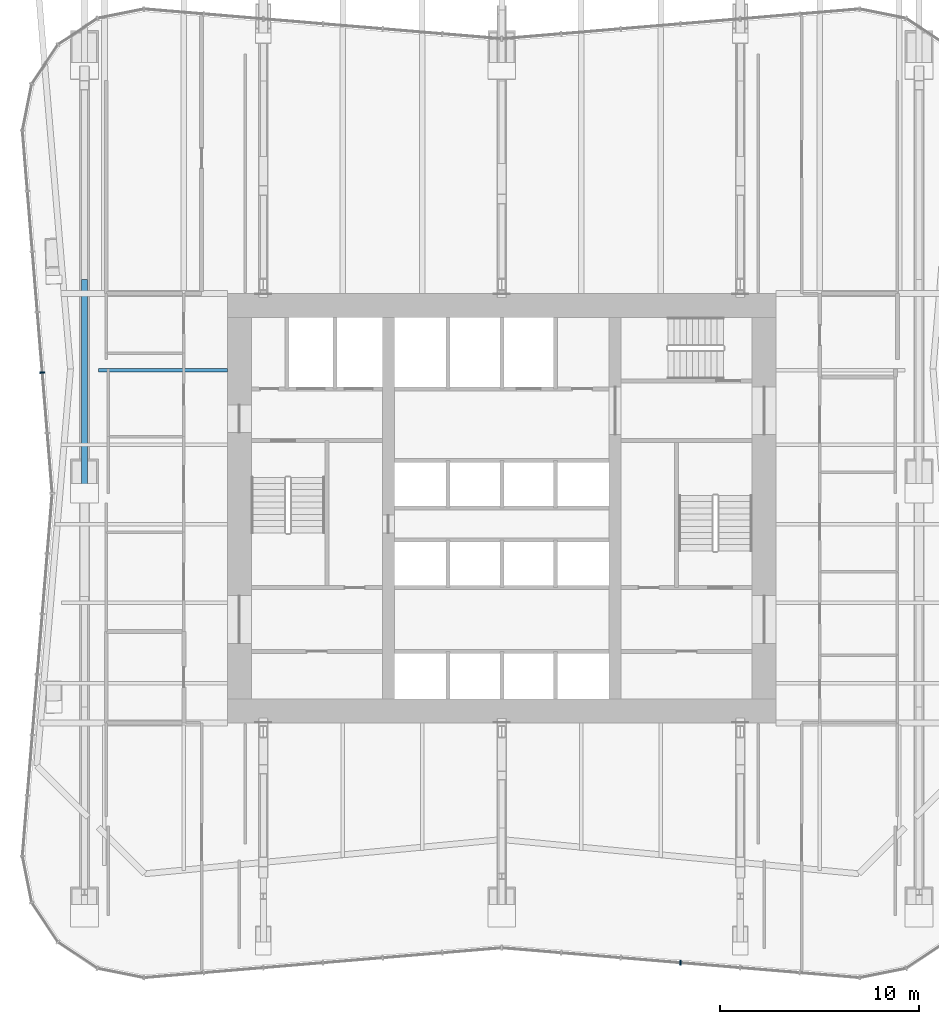
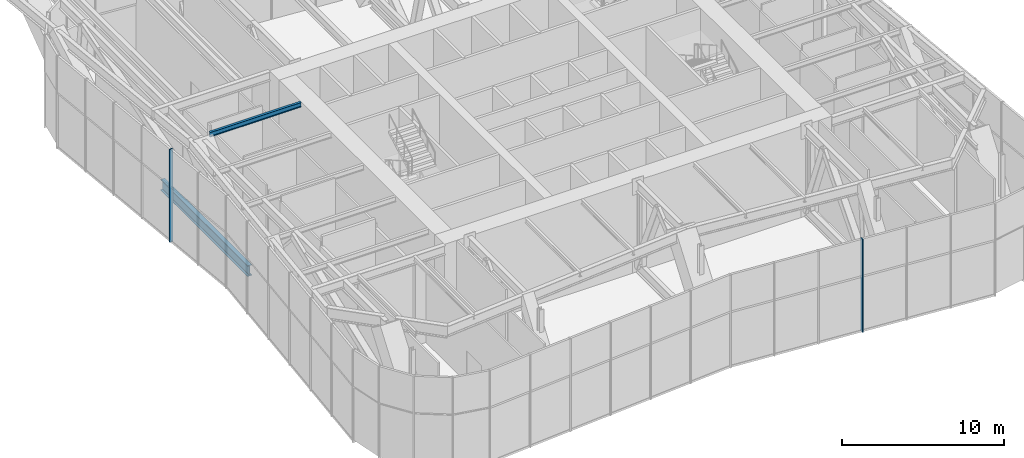
# One storey, part 6 of 17: 3 members, 1 beam, 2 elements without a shape of their own.
"""IFC4 building model written with IfcOpenShell, lengths in metres."""

from ifc_helpers import new_model, si_unit, direction, frame, origin, origin_2d, place, context, subcontext, project, spatial, rectangle, i_section, extrude, material, material_profile, profile_set, type_object, element, aggregate, save


model = new_model("IFC4")

# Units and contexts
model_context = context("Model", 3, precision=1e-05, world=origin(), true_north=direction((0.0, 1.0)))
body_context = subcontext(model_context, "Body", "Model", "MODEL_VIEW")
ifc_project = project(units=[si_unit("LENGTHUNIT", "METRE"), si_unit("AREAUNIT", "SQUARE_METRE"), si_unit("VOLUMEUNIT", "CUBIC_METRE"), si_unit("PLANEANGLEUNIT", "RADIAN"), si_unit("MASSUNIT", "GRAM", prefix="KILO")], contexts=[model_context])

# Site, building, storey
site_placement = place(None, origin())
site = spatial("IfcSite", under=ifc_project, at=site_placement, CompositionType="ELEMENT")
building_placement = place(site_placement, origin())
building = spatial("IfcBuilding", under=site, at=building_placement, Name="Verdant Reach Tower", CompositionType="ELEMENT")
storey_placement = place(building_placement, frame((0.0, 0.0, 114.0)))
storey = spatial("IfcBuildingStorey", under=building, at=storey_placement, Name="L26 Plant", CompositionType="ELEMENT", Elevation=114.0)

# Curtain wall, member
ifc_material_1 = material(Name="Anodised aluminium", Category="aluminium")
curtain_wall_type = type_object("IfcCurtainWallType", Name="EN-CW SYSTEM PLANT", PredefinedType="NOTDEFINED", material=ifc_material_1)
curtain_wall_1_placement = place(storey_placement, origin())
curtain_wall_1 = element("IfcCurtainWall", 1, at=curtain_wall_1_placement, inside=storey, type_object=curtain_wall_type, Name="Curtain wall west, L26", PredefinedType="NOTDEFINED")
ifc_material_profile_1 = material_profile(ifc_material_1, rectangle(XDim=0.238037109375, YDim=0.080078125, at=origin_2d()), Name="Mullion 80x240")
ifc_profile_set_1 = profile_set([ifc_material_profile_1], Name="Anodised aluminium")
member_type_1 = type_object("IfcMemberType", Name="EN-MULLION PLANT", PredefinedType="MULLION", material=ifc_profile_set_1)
member_1_placement = place(storey_placement, frame((-23.11865234375, 34.823486328125, -0.35009765625), z_axis=(0.0, 0.0, 1.0), x_axis=(-0.996639273542, -0.081915556724, 0.0)))
member_1 = element("IfcMember", 2, at=member_1_placement, type_object=member_type_1, Name="Mullion west face part 1 5, L26", PredefinedType="MULLION", context=body_context, shape_type="SweptSolid", body=[
    extrude(rectangle(XDim=0.238037109375, YDim=0.080078125, at=origin_2d()), origin(), (0.0, 0.0, 1.0), 7.0),
])
aggregate(curtain_wall_1, [member_1])

curtain_wall_2_placement = place(storey_placement, origin())
curtain_wall_2 = element("IfcCurtainWall", 3, at=curtain_wall_2_placement, inside=storey, type_object=curtain_wall_type, Name="Curtain wall south, L26", PredefinedType="NOTDEFINED")
member_2_placement = place(storey_placement, frame((8.990234375, 5.13134765625, -0.35009765625), z_axis=(0.0, 0.0, 1.0), x_axis=(-0.083045479859, -0.996545758244, 0.0)))
member_2 = element("IfcMember", 4, at=member_2_placement, type_object=member_type_1, Name="Mullion south face part 2 4, L26", PredefinedType="MULLION", context=body_context, shape_type="SweptSolid", body=[
    extrude(rectangle(XDim=0.238037109375, YDim=0.080078125, at=origin_2d()), origin(), (0.0, 0.0, 1.0), 7.0),
])
aggregate(curtain_wall_2, [member_2])

# Beam
ifc_material_2 = material(Name="Steel S355", Category="steel")
ifc_material_profile_2 = material_profile(ifc_material_2, i_section(OverallWidth=0.169921875, OverallDepth=0.360107421875, WebThickness=0.008056640625, FlangeThickness=0.0126953125, FilletRadius=0.01806640625, at=origin_2d()), Name="IPE 360")
ifc_profile_set_2 = profile_set([ifc_material_profile_2], Name="Steel S355")
beam_type = type_object("IfcBeamType", Name="ST-JOIST-IPE360", PredefinedType="JOIST", material=ifc_profile_set_2)
beam_placement = place(storey_placement, frame((-13.800048828125, 34.93408203125, 6.68994140625), z_axis=(-1.0, 0.0, 0.0), x_axis=(0.0, -1.0, 0.0)))
element("IfcBeam", 5, at=beam_placement, inside=storey, type_object=beam_type, Name="Floor joist, L26 Plant", PredefinedType="JOIST", context=body_context, shape_type="SweptSolid", body=[
    extrude(i_section(OverallWidth=0.169921875, OverallDepth=0.360107421875, WebThickness=0.008056640625, FlangeThickness=0.0126953125, FilletRadius=0.01806640625, at=origin_2d()), origin(), (0.0, 0.0, 1.0), 6.5),
])

# Member
ifc_material_3 = material(Name="Steel S460", Category="steel")
ifc_material_profile_3 = material_profile(ifc_material_3, i_section(OverallWidth=0.302978515625, OverallDepth=0.81396484375, WebThickness=0.02099609375, FlangeThickness=0.0400390625, FilletRadius=0.030029296875, at=origin_2d()), Name="HEM 800")
ifc_profile_set_3 = profile_set([ifc_material_profile_3], Name="Steel S460")
member_type_2 = type_object("IfcMemberType", Name="ST-TRUSS-CHORD-HEM800", PredefinedType="CHORD", material=ifc_profile_set_3)
member_3_placement = place(storey_placement, frame((-21.0, 28.757080078125, 0.406982421875), z_axis=(0.0, 1.0, 0.0), x_axis=(-1.0, 0.0, 0.0)))
element("IfcMember", 6, at=member_3_placement, inside=storey, type_object=member_type_2, Name="Transfer truss B west, bottom chord, L26 Plant", PredefinedType="CHORD", context=body_context, shape_type="SweptSolid", body=[
    extrude(i_section(OverallWidth=0.302978515625, OverallDepth=0.81396484375, WebThickness=0.02099609375, FlangeThickness=0.0400390625, FilletRadius=0.030029296875, at=origin_2d()), origin(), (0.0, 0.0, 1.0), 10.754150390625),
])

save(model, "model.ifc")
